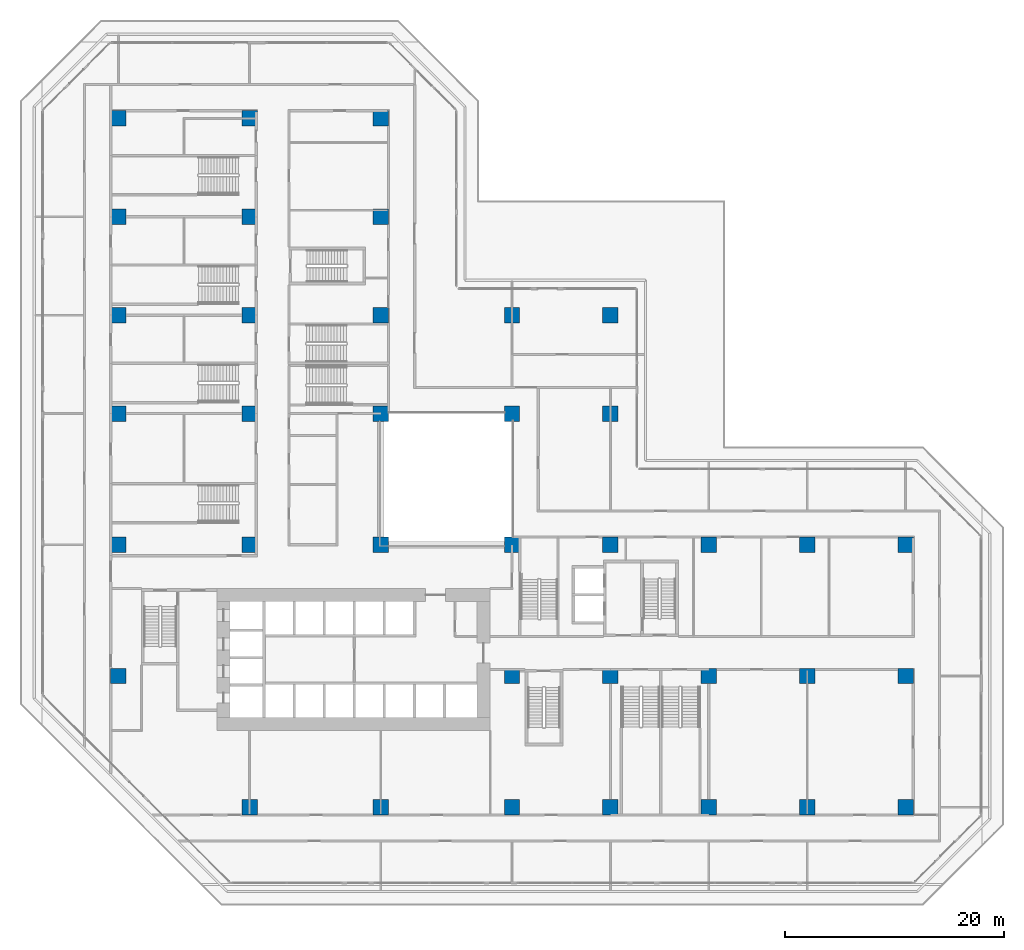
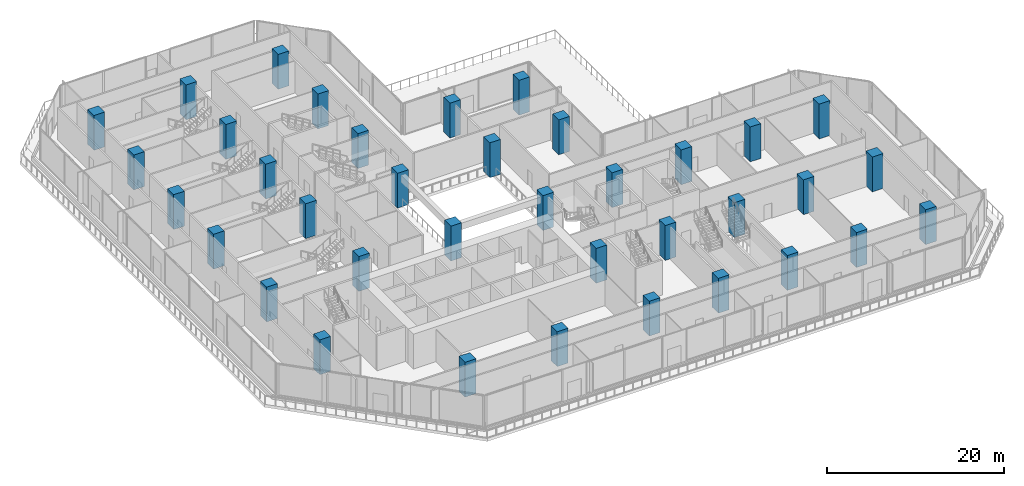
# One storey, part 1 of 25: 37 columns.
"""IFC4 building model written with IfcOpenShell, lengths in metres."""

from ifc_helpers import new_model, si_unit, direction, frame, origin, origin_2d, place, context, subcontext, project, spatial, rectangle, extrude, material, material_profile, profile_set, type_object, element, save


model = new_model("IFC4")

# Units and contexts
model_context = context("Model", 3, precision=1e-05, world=origin(), true_north=direction((0.0, 1.0)))
body_context = subcontext(model_context, "Body", "Model", "MODEL_VIEW")
ifc_project = project(units=[si_unit("LENGTHUNIT", "METRE"), si_unit("AREAUNIT", "SQUARE_METRE"), si_unit("VOLUMEUNIT", "CUBIC_METRE"), si_unit("PLANEANGLEUNIT", "RADIAN"), si_unit("MASSUNIT", "GRAM", prefix="KILO")], contexts=[model_context])

# Site, building, storey
site_placement = place(None, origin())
site = spatial("IfcSite", under=ifc_project, at=site_placement, CompositionType="ELEMENT")
building_placement = place(site_placement, origin())
building = spatial("IfcBuilding", under=site, at=building_placement, Name="Chenar Terraces", CompositionType="ELEMENT")
storey_placement = place(building_placement, frame((0.0, 0.0, 21.60009765625)))
storey = spatial("IfcBuildingStorey", under=building, at=storey_placement, Name="L04", CompositionType="ELEMENT", Elevation=21.60009765625)

# Columns
ifc_material = material(Name="Concrete C60/75", Category="concrete")
ifc_material_profile = material_profile(ifc_material, rectangle(XDim=1.39990234375, YDim=1.39990234375, at=origin_2d()), Name="C 1400 x 1400")
ifc_profile_set = profile_set([ifc_material_profile], Name="Concrete C60/75")
column_type = type_object("IfcColumnType", Name="Column C 1400 x 1400 Concrete C60/75", PredefinedType="COLUMN", material=ifc_profile_set)
for number, where, z_axis, x_axis, name in (
    (1, (12.0, 0.0, 0.0), (0.0, 0.0, 1.0), (1.0, 0.0, 0.0), "Column 6/E L04"),
    (2, (24.0, 0.0, 0.0), (0.0, 0.0, 1.0), (1.0, 0.0, 0.0), "Column 7/E L04"),
    (3, (36.0, 0.0, 0.0), (0.0, 0.0, 1.0), (1.0, 0.0, 0.0), "Column 8/E L04"),
    (4, (45.0, 0.0, 0.0), (0.0, 0.0, 1.0), (1.0, 0.0, 0.0), "Column 9/E L04"),
    (5, (54.0, 0.0, 0.0), (0.0, 0.0, 1.0), (1.0, 0.0, 0.0), "Column 10/E L04"),
    (6, (63.0, 0.0, 0.0), (0.0, 0.0, 1.0), (1.0, 0.0, 0.0), "Column 11/E L04"),
    (7, (72.0, 0.0, 0.0), (0.0, 0.0, 1.0), (1.0, 0.0, 0.0), "Column 12/E L04"),
    (8, (0.0, 12.0, 0.0), (0.0, 0.0, 1.0), (1.0, 0.0, 0.0), "Column 5/F L04"),
    (9, (36.0, 12.0, 0.0), (0.0, 0.0, 1.0), (1.0, 0.0, 0.0), "Column 8/F L04"),
    (10, (45.0, 12.0, 0.0), (0.0, 0.0, 1.0), (1.0, 0.0, 0.0), "Column 9/F L04"),
    (11, (54.0, 12.0, 0.0), (0.0, 0.0, 1.0), (1.0, 0.0, 0.0), "Column 10/F L04"),
    (12, (63.0, 12.0, 0.0), (0.0, 0.0, 1.0), (1.0, 0.0, 0.0), "Column 11/F L04"),
    (13, (72.0, 12.0, 0.0), (0.0, 0.0, 1.0), (1.0, 0.0, 0.0), "Column 12/F L04"),
    (14, (0.0, 24.0, 0.0), (0.0, 0.0, 1.0), (1.0, 0.0, 0.0), "Column 5/G L04"),
    (15, (12.0, 24.0, 0.0), (0.0, 0.0, 1.0), (1.0, 0.0, 0.0), "Column 6/G L04"),
    (16, (24.0, 24.0, 0.0), (0.0, 0.0, 1.0), (1.0, 0.0, 0.0), "Column 7/G L04"),
    (17, (36.0, 24.0, 0.0), (0.0, 0.0, 1.0), (1.0, 0.0, 0.0), "Column 8/G L04"),
    (18, (45.0, 24.0, 0.0), (0.0, 0.0, 1.0), (1.0, 0.0, 0.0), "Column 9/G L04"),
    (19, (54.0, 24.0, 0.0), (0.0, 0.0, 1.0), (1.0, 0.0, 0.0), "Column 10/G L04"),
    (20, (63.0, 24.0, 0.0), (0.0, 0.0, 1.0), (1.0, 0.0, 0.0), "Column 11/G L04"),
    (21, (72.0, 24.0, 0.0), (0.0, 0.0, 1.0), (1.0, 0.0, 0.0), "Column 12/G L04"),
    (22, (0.0, 36.0, 0.0), (0.0, 0.0, 1.0), (1.0, 0.0, 0.0), "Column 5/H L04"),
    (23, (12.0, 36.0, 0.0), (0.0, 0.0, 1.0), (1.0, 0.0, 0.0), "Column 6/H L04"),
    (24, (24.0, 36.0, 0.0), (0.0, 0.0, 1.0), (1.0, 0.0, 0.0), "Column 7/H L04"),
    (25, (36.0, 36.0, 0.0), (0.0, 0.0, 1.0), (1.0, 0.0, 0.0), "Column 8/H L04"),
    (26, (45.0, 36.0, 0.0), (0.0, 0.0, 1.0), (1.0, 0.0, 0.0), "Column 9/H L04"),
    (27, (0.0, 45.0, 0.0), (0.0, 0.0, 1.0), (1.0, 0.0, 0.0), "Column 5/J L04"),
    (28, (12.0, 45.0, 0.0), (0.0, 0.0, 1.0), (1.0, 0.0, 0.0), "Column 6/J L04"),
    (29, (24.0, 45.0, 0.0), (0.0, 0.0, 1.0), (1.0, 0.0, 0.0), "Column 7/J L04"),
    (30, (36.0, 45.0, 0.0), (0.0, 0.0, 1.0), (1.0, 0.0, 0.0), "Column 8/J L04"),
    (31, (45.0, 45.0, 0.0), (0.0, 0.0, 1.0), (1.0, 0.0, 0.0), "Column 9/J L04"),
    (32, (0.0, 54.0, 0.0), (0.0, 0.0, 1.0), (1.0, 0.0, 0.0), "Column 5/K L04"),
    (33, (12.0, 54.0, 0.0), (0.0, 0.0, 1.0), (1.0, 0.0, 0.0), "Column 6/K L04"),
    (34, (24.0, 54.0, 0.0), (0.0, 0.0, 1.0), (1.0, 0.0, 0.0), "Column 7/K L04"),
    (35, (0.0, 63.0, 0.0), (0.0, 0.0, 1.0), (1.0, 0.0, 0.0), "Column 5/L L04"),
    (36, (12.0, 63.0, 0.0), (0.0, 0.0, 1.0), (1.0, 0.0, 0.0), "Column 6/L L04"),
    (37, (24.0, 63.0, 0.0), (0.0, 0.0, 1.0), (1.0, 0.0, 0.0), "Column 7/L L04"),
):
    element("IfcColumn", number, at=place(storey_placement, frame(where, z_axis=z_axis, x_axis=x_axis)), inside=storey, type_object=column_type, Name=name, PredefinedType="COLUMN", context=body_context, shape_type="SweptSolid", body=[
        extrude(rectangle(XDim=1.39990234375, YDim=1.39990234375, at=origin_2d()), origin(), (0.0, 0.0, 1.0), 4.7998046875),
    ])

save(model, "model.ifc")
